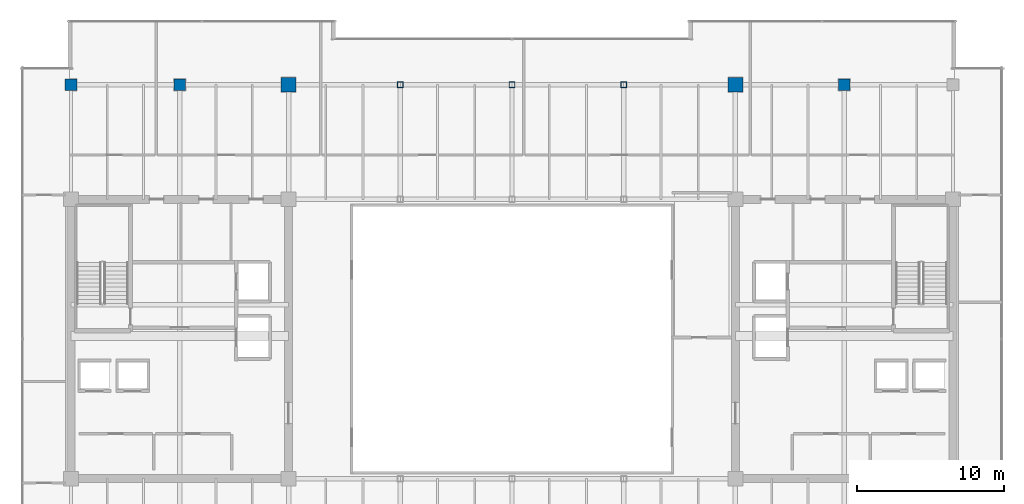
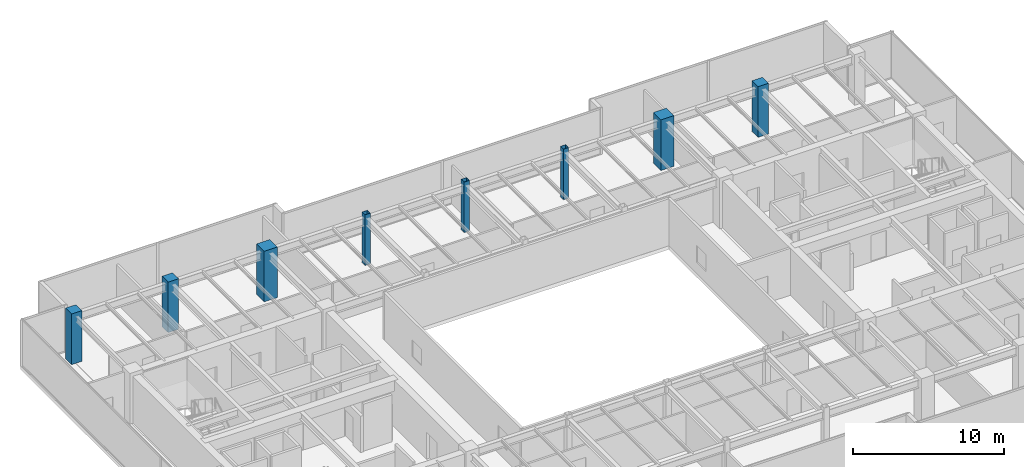
# One storey, part 3 of 36: 8 columns.
"""IFC4 building model written with IfcOpenShell, lengths in metres."""

from ifc_helpers import new_model, si_unit, direction, frame, origin, origin_2d, place, context, subcontext, project, spatial, rectangle, hollow_rectangle, extrude, source, transform, mapped, material, material_profile, profile_set, type_object, type_shapes, element, save


model = new_model("IFC4")

# Units and contexts
model_context = context("Model", 3, precision=1e-05, world=origin(), true_north=direction((0.0, 1.0)))
body_context = subcontext(model_context, "Body", "Model", "MODEL_VIEW")
ifc_project = project(units=[si_unit("LENGTHUNIT", "METRE"), si_unit("AREAUNIT", "SQUARE_METRE"), si_unit("VOLUMEUNIT", "CUBIC_METRE"), si_unit("PLANEANGLEUNIT", "RADIAN"), si_unit("MASSUNIT", "GRAM", prefix="KILO")], contexts=[model_context])

# Site, building, storey
site_placement = place(None, origin())
site = spatial("IfcSite", under=ifc_project, at=site_placement, CompositionType="ELEMENT")
building_placement = place(site_placement, origin())
building = spatial("IfcBuilding", under=site, at=building_placement, Name="Haelvirn Gate Laboratories", CompositionType="ELEMENT")
storey_placement = place(building_placement, frame((0.0, 0.0, 254.699951171875)))
storey = spatial("IfcBuildingStorey", under=building, at=storey_placement, Name="L61", CompositionType="ELEMENT", Elevation=254.699951171875)

# Columns
ifc_material_1 = material(Name="Concrete C60/75", Category="concrete")
ifc_material_profile_1 = material_profile(ifc_material_1, rectangle(XDim=1.0, YDim=1.0, at=origin_2d()), Name="RC-1000x1000")
ifc_profile_set_1 = profile_set([ifc_material_profile_1], Name="Concrete C60/75")
column_type_1 = type_object("IfcColumnType", Name="COL-RC-1000", PredefinedType="COLUMN", material=ifc_profile_set_1)
shared_shape_1 = source(origin(), body_context, "Body", "SweptSolid", [
    extrude(rectangle(XDim=1.0, YDim=1.0, at=origin_2d()), origin(), (0.0, 0.0, 1.0), 4.10009765625),
])
type_shapes(column_type_1, [shared_shape_1])
for number, where, z_axis, x_axis, name in (
    (1, (22.199951171875, 41.60009765625, 0.0), (0.0, 0.0, 1.0), (1.0, 0.0, 0.0), "L61 Column 4G"),
    (2, (52.60009765625, 41.60009765625, 0.0), (0.0, 0.0, 1.0), (1.0, 0.0, 0.0), "L61 Column 8G"),
):
    element("IfcColumn", number, at=place(storey_placement, frame(where, z_axis=z_axis, x_axis=x_axis)), inside=storey, type_object=column_type_1, Name=name, PredefinedType="COLUMN", context=body_context, shape_type="MappedRepresentation", body=[
        mapped(shared_shape_1, transform((0.0, 0.0, 0.0), scale=1.0)),
    ])
ifc_material_2 = material(Name="Concrete C50/60", Category="concrete")
ifc_material_profile_2 = material_profile(ifc_material_2, rectangle(XDim=0.800048828125, YDim=0.800048828125, at=origin_2d()), Name="RC-800x800")
ifc_profile_set_2 = profile_set([ifc_material_profile_2], Name="Concrete C50/60")
column_type_2 = type_object("IfcColumnType", Name="COL-RC-800", PredefinedType="COLUMN", material=ifc_profile_set_2)
shared_shape_2 = source(origin(), body_context, "Body", "SweptSolid", [
    extrude(rectangle(XDim=0.800048828125, YDim=0.800048828125, at=origin_2d()), origin(), (0.0, 0.0, 1.0), 4.10009765625),
])
type_shapes(column_type_2, [shared_shape_2])
for number, where, z_axis, x_axis, name in (
    (3, (14.800048828125, 41.60009765625, 0.0), (0.0, 0.0, 1.0), (1.0, 0.0, 0.0), "L61 Column 3G"),
    (4, (60.0, 41.60009765625, 0.0), (0.0, 0.0, 1.0), (1.0, 0.0, 0.0), "L61 Column 9G"),
    (5, (7.39990234375, 41.60009765625, 0.0), (0.0, 0.0, 1.0), (1.0, 0.0, 0.0), "L61 Column 2G"),
):
    element("IfcColumn", number, at=place(storey_placement, frame(where, z_axis=z_axis, x_axis=x_axis)), inside=storey, type_object=column_type_2, Name=name, PredefinedType="COLUMN", context=body_context, shape_type="MappedRepresentation", body=[
        mapped(shared_shape_2, transform((0.0, 0.0, 0.0), scale=1.0)),
    ])
ifc_material_3 = material(Name="Steel SM355", Category="steel")
ifc_material_profile_3 = material_profile(ifc_material_3, hollow_rectangle(XDim=0.39990234375, YDim=0.39990234375, WallThickness=0.01904296875, at=origin_2d()), Name="BOX-400x400x19")
ifc_profile_set_3 = profile_set([ifc_material_profile_3], Name="Steel SM355")
column_type_3 = type_object("IfcColumnType", Name="COL-BOX-400", PredefinedType="COLUMN", material=ifc_profile_set_3)
shared_shape_3 = source(origin(), body_context, "Body", "SweptSolid", [
    extrude(hollow_rectangle(XDim=0.39990234375, YDim=0.39990234375, WallThickness=0.01904296875, at=origin_2d()), origin(), (0.0, 0.0, 1.0), 4.10009765625),
])
type_shapes(column_type_3, [shared_shape_3])
for number, where, z_axis, x_axis, name in (
    (6, (29.800048828125, 41.60009765625, 0.0), (0.0, 0.0, 1.0), (1.0, 0.0, 0.0), "L61 Column 5G"),
    (7, (37.39990234375, 41.60009765625, 0.0), (0.0, 0.0, 1.0), (1.0, 0.0, 0.0), "L61 Column 6G"),
    (8, (45.0, 41.60009765625, 0.0), (0.0, 0.0, 1.0), (1.0, 0.0, 0.0), "L61 Column 7G"),
):
    element("IfcColumn", number, at=place(storey_placement, frame(where, z_axis=z_axis, x_axis=x_axis)), inside=storey, type_object=column_type_3, Name=name, PredefinedType="COLUMN", context=body_context, shape_type="MappedRepresentation", body=[
        mapped(shared_shape_3, transform((0.0, 0.0, 0.0), scale=1.0)),
    ])

save(model, "model.ifc")
